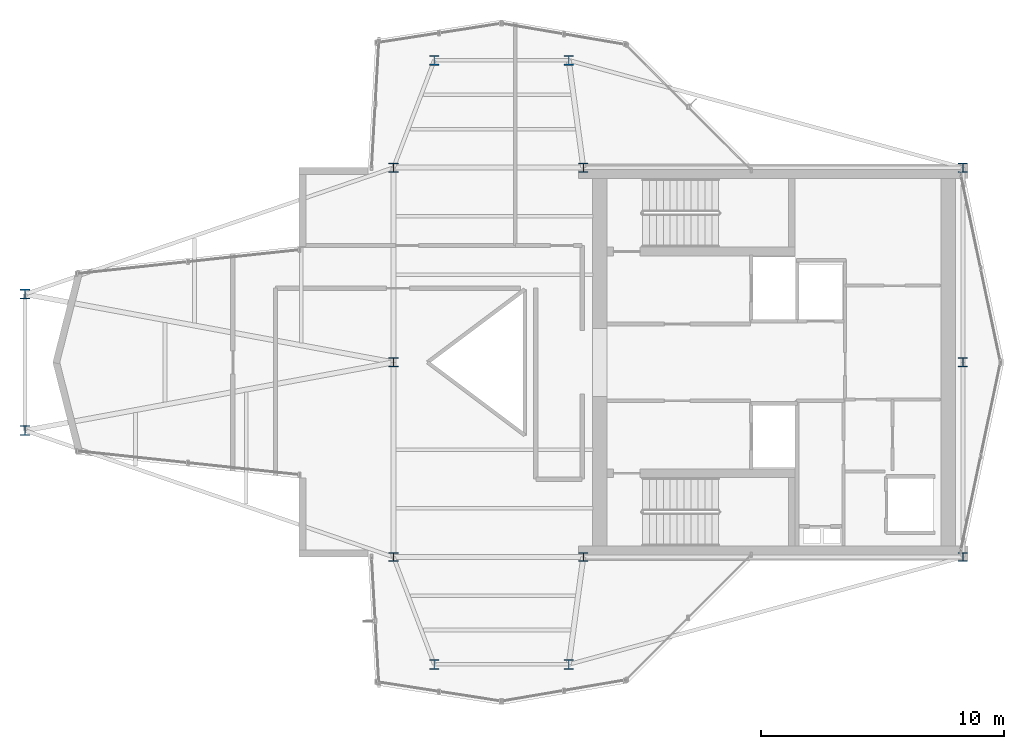
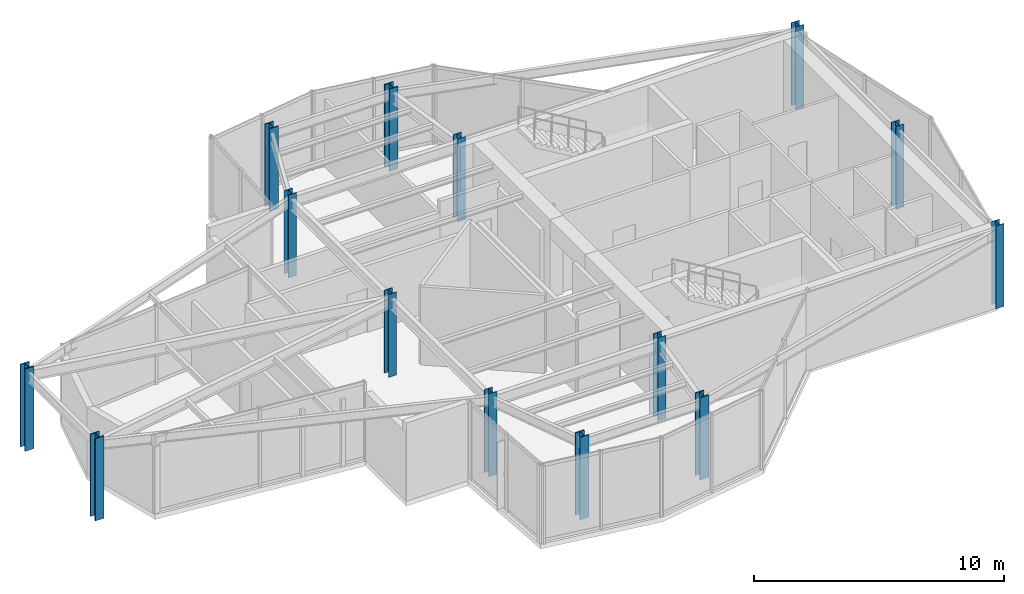
# One storey, part 1 of 13: 14 columns.
"""IFC4 building model written with IfcOpenShell, lengths in metres."""

from ifc_helpers import new_model, si_unit, direction, frame, origin, origin_2d, place, context, subcontext, project, spatial, i_section, extrude, material, material_profile, profile_set, type_object, element, save


model = new_model("IFC4")

# Units and contexts
model_context = context("Model", 3, precision=1e-05, world=origin(), true_north=direction((0.0, 1.0)))
body_context = subcontext(model_context, "Body", "Model", "MODEL_VIEW")
ifc_project = project(units=[si_unit("LENGTHUNIT", "METRE"), si_unit("AREAUNIT", "SQUARE_METRE"), si_unit("VOLUMEUNIT", "CUBIC_METRE"), si_unit("PLANEANGLEUNIT", "RADIAN"), si_unit("MASSUNIT", "GRAM", prefix="KILO")], contexts=[model_context])

# Site, building, storey
site_placement = place(None, origin())
site = spatial("IfcSite", under=ifc_project, at=site_placement, CompositionType="ELEMENT")
building_placement = place(site_placement, origin())
building = spatial("IfcBuilding", under=site, at=building_placement, Name="Veymaron Broadcast Tower", CompositionType="ELEMENT")
storey_placement = place(building_placement, frame((0.0, 0.0, 307.35009765625)))
storey = spatial("IfcBuildingStorey", under=building, at=storey_placement, Name="L72", CompositionType="ELEMENT", Elevation=307.35009765625)

# Columns
ifc_material_1 = material(Name="Structural steel ASTM A992 Gr 50", Category="steel")
ifc_material_profile_1 = material_profile(ifc_material_1, i_section(OverallWidth=0.373046875, OverallDepth=0.367919921875, WebThickness=0.014892578125, FlangeThickness=0.02392578125, at=origin_2d()), Name="W360X179")
ifc_profile_set_1 = profile_set([ifc_material_profile_1], Name="Structural steel ASTM A992 Gr 50")
column_type_1 = type_object("IfcColumnType", Name="COL-HC4", PredefinedType="COLUMN", material=ifc_profile_set_1)
for number, where, z_axis, x_axis, name in (
    (1, (31.199951171875, 16.0, 0.0), (0.0, 0.0, 1.0), (1.0, 0.0, 0.0), "L72 structural hub and core column"),
    (2, (31.199951171875, 24.0, 0.0), (0.0, 0.0, 1.0), (1.0, 0.0, 0.0), "L72 structural hub and core column"),
    (3, (31.199951171875, 32.0, 0.0), (0.0, 0.0, 1.0), (1.0, 0.0, 0.0), "L72 structural hub and core column"),
    (4, (39.0, 16.0, 0.0), (0.0, 0.0, 1.0), (1.0, 0.0, 0.0), "L72 structural hub and core column"),
    (5, (39.0, 32.0, 0.0), (0.0, 0.0, 1.0), (1.0, 0.0, 0.0), "L72 structural hub and core column"),
    (6, (54.60009765625, 16.0, 0.0), (0.0, 0.0, 1.0), (1.0, 0.0, 0.0), "L72 structural hub and core column"),
    (7, (54.60009765625, 24.0, 0.0), (0.0, 0.0, 1.0), (1.0, 0.0, 0.0), "L72 structural hub and core column"),
    (8, (54.60009765625, 32.0, 0.0), (0.0, 0.0, 1.0), (1.0, 0.0, 0.0), "L72 structural hub and core column"),
):
    element("IfcColumn", number, at=place(storey_placement, frame(where, z_axis=z_axis, x_axis=x_axis)), inside=storey, type_object=column_type_1, Name=name, PredefinedType="COLUMN", context=body_context, shape_type="SweptSolid", body=[
        extrude(i_section(OverallWidth=0.373046875, OverallDepth=0.367919921875, WebThickness=0.014892578125, FlangeThickness=0.02392578125, at=origin_2d()), origin(), (0.0, 0.0, 1.0), 4.0439453125),
    ])
ifc_material_2 = material(Name="Structural steel ASTM A913 Gr 65", Category="steel")
ifc_material_profile_2 = material_profile(ifc_material_2, i_section(OverallWidth=0.406005859375, OverallDepth=0.416015625, WebThickness=0.02978515625, FlangeThickness=0.048095703125, at=origin_2d()), Name="W360X382")
ifc_profile_set_2 = profile_set([ifc_material_profile_2], Name="Structural steel ASTM A913 Gr 65")
column_type_2 = type_object("IfcColumnType", Name="COL-MC4", PredefinedType="COLUMN", material=ifc_profile_set_2)
for number, where, z_axis, x_axis, name in (
    (9, (16.052490234375, 21.197998046875, 0.015869140625), (0.0, 0.0, 1.0), (1.0, 0.0, 0.0), "L72 Tapered Wing Mega Column"),
    (10, (16.052490234375, 26.802001953125, 0.015869140625), (0.0, 0.0, 1.0), (1.0, 0.0, 0.0), "L72 Tapered Wing Mega Column"),
    (11, (32.87451171875, 36.412109375, 0.015869140625), (0.0, 0.0, 1.0), (1.0, 0.0, 0.0), "L72 Tapered Wing Mega Column"),
    (12, (38.402099609375, 36.412109375, 0.015869140625), (0.0, 0.0, 1.0), (1.0, 0.0, 0.0), "L72 Tapered Wing Mega Column"),
    (13, (32.87451171875, 11.587890625, 0.015869140625), (0.0, 0.0, 1.0), (1.0, 0.0, 0.0), "L72 Tapered Wing Mega Column"),
    (14, (38.402099609375, 11.587890625, 0.015869140625), (0.0, 0.0, 1.0), (1.0, 0.0, 0.0), "L72 Tapered Wing Mega Column"),
):
    element("IfcColumn", number, at=place(storey_placement, frame(where, z_axis=z_axis, x_axis=x_axis)), inside=storey, type_object=column_type_2, Name=name, PredefinedType="COLUMN", context=body_context, shape_type="SweptSolid", body=[
        extrude(i_section(OverallWidth=0.406005859375, OverallDepth=0.416015625, WebThickness=0.02978515625, FlangeThickness=0.048095703125, at=origin_2d()), origin(), (0.0, 0.0, 1.0), 4.01806640625),
    ])

save(model, "model.ifc")
